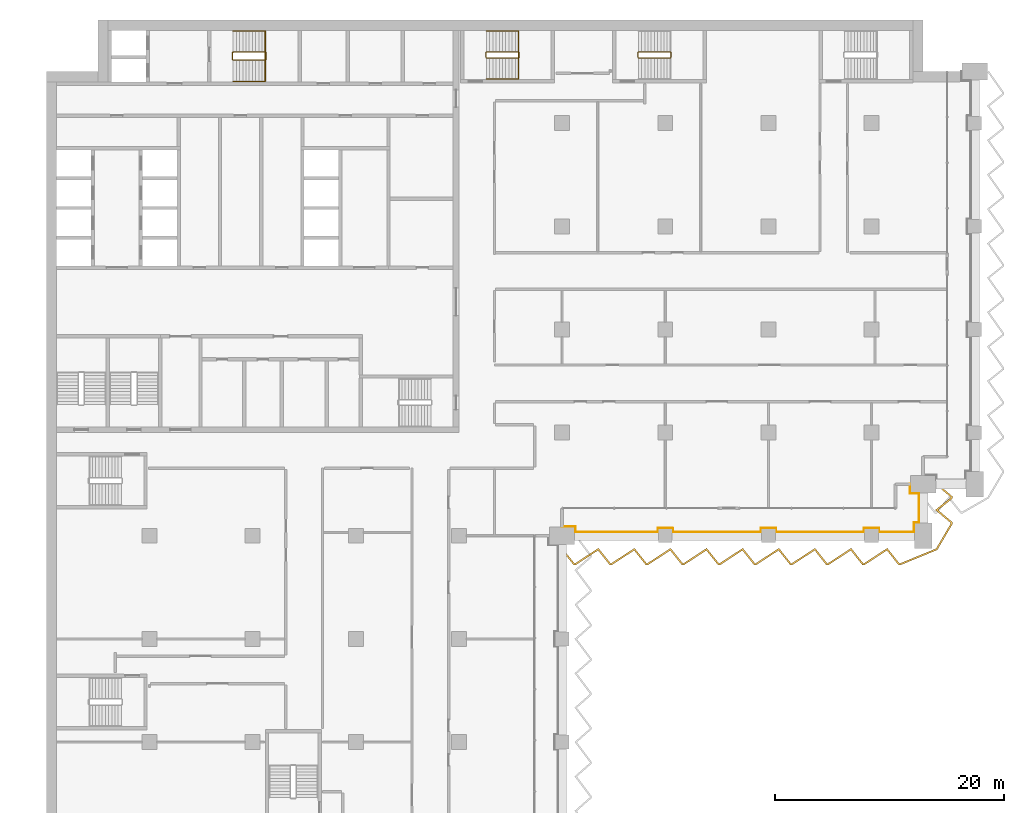
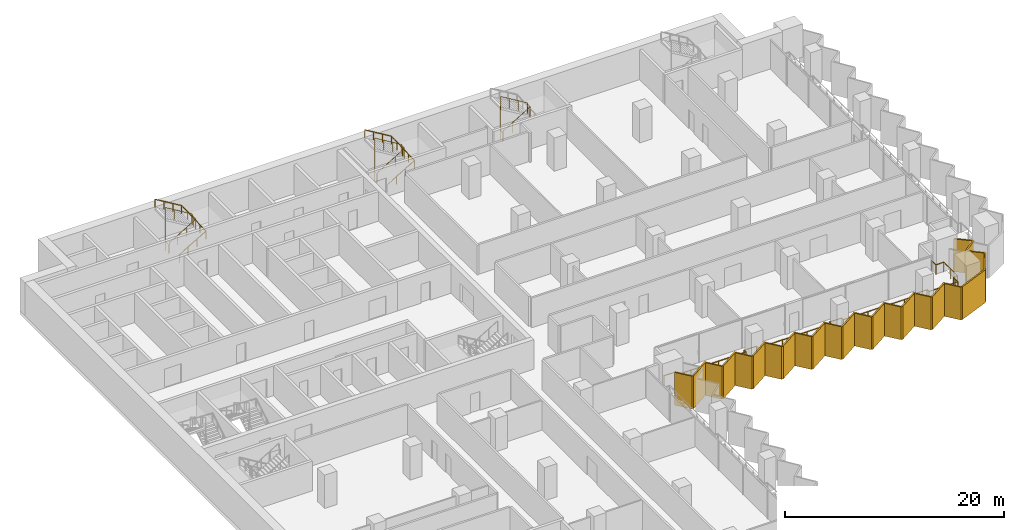
# One storey, part 22 of 23: 6 railings, 1 shading device.
"""IFC4 building model written with IfcOpenShell, lengths in metres."""

from ifc_helpers import new_model, si_unit, direction, frame, origin, origin_2d, place, context, subcontext, project, spatial, polyline, circle, outline, extrude, material, layer, layer_set, type_object, element, save


model = new_model("IFC4")

# Units and contexts
model_context = context("Model", 3, precision=1e-05, world=origin(), true_north=direction((0.0, 1.0)))
body_context = subcontext(model_context, "Body", "Model", "MODEL_VIEW")
ifc_project = project(units=[si_unit("LENGTHUNIT", "METRE"), si_unit("AREAUNIT", "SQUARE_METRE"), si_unit("VOLUMEUNIT", "CUBIC_METRE"), si_unit("PLANEANGLEUNIT", "RADIAN"), si_unit("MASSUNIT", "GRAM", prefix="KILO")], contexts=[model_context])

# Site, building, storey
site_placement = place(None, origin())
site = spatial("IfcSite", under=ifc_project, at=site_placement, CompositionType="ELEMENT")
building_placement = place(site_placement, origin())
building = spatial("IfcBuilding", under=site, at=building_placement, Name="Hunhe Ridgeline Campus", CompositionType="ELEMENT")
storey_placement = place(building_placement, frame((0.0, 0.0, 99.60009765625)))
storey = spatial("IfcBuildingStorey", under=building, at=storey_placement, Name="L24", CompositionType="ELEMENT", Elevation=99.60009765625)

# Railing
ifc_material_1 = material(Name="Steel Q355", Category="steel")
railing_type_1 = type_object("IfcRailingType", Name="Loggia guard 1100 Steel Q355", PredefinedType="GUARDRAIL", material=ifc_material_1)
railing_1_placement = place(storey_placement, frame((45.0, 54.820068359375, 0.0)))
element("IfcRailing", 1, at=railing_1_placement, inside=storey, type_object=railing_type_1, Name="Loggia guard 2", PredefinedType="GUARDRAIL", context=body_context, shape_type="SweptSolid", body=[
    extrude(circle(Radius=0.02392578125, at=origin_2d()), frame((0.0, 0.0, 1.076171875), z_axis=(1.0, 0.0, 0.0), x_axis=(0.0, 1.0, 0.0)), (0.0, 0.0, 1.0), 1.14990234375),
    extrude(circle(Radius=0.02392578125, at=origin_2d()), frame((1.14990234375, 0.0, 1.076171875), z_axis=(0.0, -1.0, 0.0), x_axis=(1.0, 0.0, 0.0)), (0.0, 0.0, 1.0), 0.469970703125),
    extrude(circle(Radius=0.02392578125, at=origin_2d()), frame((1.14990234375, -0.469970703125, 1.076171875), z_axis=(1.0, 0.0, 0.0), x_axis=(0.0, 1.0, 0.0)), (0.0, 0.0, 1.0), 7.2001953125),
    extrude(circle(Radius=0.02392578125, at=origin_2d()), frame((8.35009765625, -0.469970703125, 1.076171875), z_axis=(0.0, 1.0, 0.0), x_axis=(-1.0, 0.0, 0.0)), (0.0, 0.0, 1.0), 0.31982421875),
    extrude(circle(Radius=0.02392578125, at=origin_2d()), frame((8.35009765625, -0.150146484375, 1.076171875), z_axis=(1.0, 0.0, 0.0), x_axis=(0.0, 1.0, 0.0)), (0.0, 0.0, 1.0), 1.2998046875),
    extrude(circle(Radius=0.02392578125, at=origin_2d()), frame((9.64990234375, -0.150146484375, 1.076171875), z_axis=(0.0, -1.0, 0.0), x_axis=(1.0, 0.0, 0.0)), (0.0, 0.0, 1.0), 0.31982421875),
    extrude(circle(Radius=0.02392578125, at=origin_2d()), frame((9.64990234375, -0.469970703125, 1.076171875), z_axis=(1.0, 0.0, 0.0), x_axis=(0.0, 1.0, 0.0)), (0.0, 0.0, 1.0), 7.7001953125),
    extrude(circle(Radius=0.02392578125, at=origin_2d()), frame((17.35009765625, -0.469970703125, 1.076171875), z_axis=(0.0, 1.0, 0.0), x_axis=(-1.0, 0.0, 0.0)), (0.0, 0.0, 1.0), 0.31982421875),
    extrude(circle(Radius=0.02392578125, at=origin_2d()), frame((17.35009765625, -0.150146484375, 1.076171875), z_axis=(1.0, 0.0, 0.0), x_axis=(0.0, 1.0, 0.0)), (0.0, 0.0, 1.0), 1.2998046875),
    extrude(circle(Radius=0.02392578125, at=origin_2d()), frame((18.64990234375, -0.150146484375, 1.076171875), z_axis=(0.0, -1.0, 0.0), x_axis=(1.0, 0.0, 0.0)), (0.0, 0.0, 1.0), 0.31982421875),
    extrude(circle(Radius=0.02392578125, at=origin_2d()), frame((18.64990234375, -0.469970703125, 1.076171875), z_axis=(1.0, 0.0, 0.0), x_axis=(0.0, 1.0, 0.0)), (0.0, 0.0, 1.0), 7.7001953125),
    extrude(circle(Radius=0.02392578125, at=origin_2d()), frame((26.35009765625, -0.469970703125, 1.076171875), z_axis=(0.0, 1.0, 0.0), x_axis=(-1.0, 0.0, 0.0)), (0.0, 0.0, 1.0), 0.31982421875),
    extrude(circle(Radius=0.02392578125, at=origin_2d()), frame((26.35009765625, -0.150146484375, 1.076171875), z_axis=(1.0, 0.0, 0.0), x_axis=(0.0, 1.0, 0.0)), (0.0, 0.0, 1.0), 1.2998046875),
    extrude(circle(Radius=0.02392578125, at=origin_2d()), frame((27.64990234375, -0.150146484375, 1.076171875), z_axis=(0.0, -1.0, 0.0), x_axis=(1.0, 0.0, 0.0)), (0.0, 0.0, 1.0), 0.31982421875),
    extrude(circle(Radius=0.02392578125, at=origin_2d()), frame((27.64990234375, -0.469970703125, 1.076171875), z_axis=(1.0, 0.0, 0.0), x_axis=(0.0, 1.0, 0.0)), (0.0, 0.0, 1.0), 3.050048828125),
    extrude(circle(Radius=0.02392578125, at=origin_2d()), frame((30.699951171875, -0.469970703125, 1.076171875), z_axis=(0.0, 1.0, 0.0), x_axis=(-1.0, 0.0, 0.0)), (0.0, 0.0, 1.0), 0.81982421875),
    extrude(circle(Radius=0.02392578125, at=origin_2d()), frame((30.699951171875, 0.349853515625, 1.076171875), z_axis=(-0.057129153726, -0.99836679622, 0.0), x_axis=(0.99836679622, -0.057129153726, 0.0)), (0.0, 0.0, 1.0), 0.350341796875),
    extrude(circle(Radius=0.02392578125, at=origin_2d()), frame((30.679931640625, 0.0, 1.076171875), z_axis=(0.0, 1.0, 0.0), x_axis=(-1.0, 0.0, 0.0)), (0.0, 0.0, 1.0), 0.329833984375),
    extrude(circle(Radius=0.02392578125, at=origin_2d()), frame((30.679931640625, 0.329833984375, 1.076171875), z_axis=(1.0, 0.0, 0.0), x_axis=(0.0, 1.0, 0.0)), (0.0, 0.0, 1.0), 0.469970703125),
    extrude(circle(Radius=0.02392578125, at=origin_2d()), frame((31.14990234375, 0.329833984375, 1.076171875), z_axis=(0.0, 1.0, 0.0), x_axis=(-1.0, 0.0, 0.0)), (0.0, 0.0, 1.0), 2.550048828125),
    extrude(circle(Radius=0.02392578125, at=origin_2d()), frame((31.14990234375, 2.8798828125, 1.076171875), z_axis=(-1.0, 0.0, 0.0), x_axis=(0.0, -1.0, 0.0)), (0.0, 0.0, 1.0), 0.81982421875),
    extrude(circle(Radius=0.02392578125, at=origin_2d()), frame((30.330078125, 2.8798828125, 1.076171875), z_axis=(0.0, 1.0, 0.0), x_axis=(-1.0, 0.0, 0.0)), (0.0, 0.0, 1.0), 0.800048828125),
    extrude(circle(Radius=0.02099609375, at=origin_2d()), origin(), (0.0, 0.0, 1.0), 1.052001953125),
    extrude(circle(Radius=0.02099609375, at=origin_2d()), frame((1.14990234375, 0.0, 0.0)), (0.0, 0.0, 1.0), 1.052001953125),
    extrude(circle(Radius=0.02099609375, at=origin_2d()), frame((1.14990234375, -0.469970703125, 0.0)), (0.0, 0.0, 1.0), 1.052001953125),
    extrude(circle(Radius=0.02099609375, at=origin_2d()), frame((2.58984375, -0.469970703125, 0.0)), (0.0, 0.0, 1.0), 1.052001953125),
    extrude(circle(Radius=0.02099609375, at=origin_2d()), frame((4.030029296875, -0.469970703125, 0.0)), (0.0, 0.0, 1.0), 1.052001953125),
    extrude(circle(Radius=0.02099609375, at=origin_2d()), frame((5.469970703125, -0.469970703125, 0.0)), (0.0, 0.0, 1.0), 1.052001953125),
    extrude(circle(Radius=0.02099609375, at=origin_2d()), frame((6.91015625, -0.469970703125, 0.0)), (0.0, 0.0, 1.0), 1.052001953125),
    extrude(circle(Radius=0.02099609375, at=origin_2d()), frame((8.35009765625, -0.469970703125, 0.0)), (0.0, 0.0, 1.0), 1.052001953125),
    extrude(circle(Radius=0.02099609375, at=origin_2d()), frame((8.35009765625, -0.150146484375, 0.0)), (0.0, 0.0, 1.0), 1.052001953125),
    extrude(circle(Radius=0.02099609375, at=origin_2d()), frame((9.64990234375, -0.150146484375, 0.0)), (0.0, 0.0, 1.0), 1.052001953125),
    extrude(circle(Radius=0.02099609375, at=origin_2d()), frame((9.64990234375, -0.469970703125, 0.0)), (0.0, 0.0, 1.0), 1.052001953125),
    extrude(circle(Radius=0.02099609375, at=origin_2d()), frame((10.933349609375, -0.469970703125, 0.0)), (0.0, 0.0, 1.0), 1.052001953125),
    extrude(circle(Radius=0.02099609375, at=origin_2d()), frame((12.216552734375, -0.469970703125, 0.0)), (0.0, 0.0, 1.0), 1.052001953125),
    extrude(circle(Radius=0.02099609375, at=origin_2d()), frame((13.5, -0.469970703125, 0.0)), (0.0, 0.0, 1.0), 1.052001953125),
    extrude(circle(Radius=0.02099609375, at=origin_2d()), frame((14.783447265625, -0.469970703125, 0.0)), (0.0, 0.0, 1.0), 1.052001953125),
    extrude(circle(Radius=0.02099609375, at=origin_2d()), frame((16.066650390625, -0.469970703125, 0.0)), (0.0, 0.0, 1.0), 1.052001953125),
    extrude(circle(Radius=0.02099609375, at=origin_2d()), frame((17.35009765625, -0.469970703125, 0.0)), (0.0, 0.0, 1.0), 1.052001953125),
    extrude(circle(Radius=0.02099609375, at=origin_2d()), frame((17.35009765625, -0.150146484375, 0.0)), (0.0, 0.0, 1.0), 1.052001953125),
    extrude(circle(Radius=0.02099609375, at=origin_2d()), frame((18.64990234375, -0.150146484375, 0.0)), (0.0, 0.0, 1.0), 1.052001953125),
    extrude(circle(Radius=0.02099609375, at=origin_2d()), frame((18.64990234375, -0.469970703125, 0.0)), (0.0, 0.0, 1.0), 1.052001953125),
    extrude(circle(Radius=0.02099609375, at=origin_2d()), frame((19.933349609375, -0.469970703125, 0.0)), (0.0, 0.0, 1.0), 1.052001953125),
    extrude(circle(Radius=0.02099609375, at=origin_2d()), frame((21.216552734375, -0.469970703125, 0.0)), (0.0, 0.0, 1.0), 1.052001953125),
    extrude(circle(Radius=0.02099609375, at=origin_2d()), frame((22.5, -0.469970703125, 0.0)), (0.0, 0.0, 1.0), 1.052001953125),
    extrude(circle(Radius=0.02099609375, at=origin_2d()), frame((23.783447265625, -0.469970703125, 0.0)), (0.0, 0.0, 1.0), 1.052001953125),
    extrude(circle(Radius=0.02099609375, at=origin_2d()), frame((25.066650390625, -0.469970703125, 0.0)), (0.0, 0.0, 1.0), 1.052001953125),
    extrude(circle(Radius=0.02099609375, at=origin_2d()), frame((26.35009765625, -0.469970703125, 0.0)), (0.0, 0.0, 1.0), 1.052001953125),
    extrude(circle(Radius=0.02099609375, at=origin_2d()), frame((26.35009765625, -0.150146484375, 0.0)), (0.0, 0.0, 1.0), 1.052001953125),
    extrude(circle(Radius=0.02099609375, at=origin_2d()), frame((27.64990234375, -0.150146484375, 0.0)), (0.0, 0.0, 1.0), 1.052001953125),
    extrude(circle(Radius=0.02099609375, at=origin_2d()), frame((27.64990234375, -0.469970703125, 0.0)), (0.0, 0.0, 1.0), 1.052001953125),
    extrude(circle(Radius=0.02099609375, at=origin_2d()), frame((28.66650390625, -0.469970703125, 0.0)), (0.0, 0.0, 1.0), 1.052001953125),
    extrude(circle(Radius=0.02099609375, at=origin_2d()), frame((29.683349609375, -0.469970703125, 0.0)), (0.0, 0.0, 1.0), 1.052001953125),
    extrude(circle(Radius=0.02099609375, at=origin_2d()), frame((30.699951171875, -0.469970703125, 0.0)), (0.0, 0.0, 1.0), 1.052001953125),
    extrude(circle(Radius=0.02099609375, at=origin_2d()), frame((30.699951171875, 0.349853515625, 0.0)), (0.0, 0.0, 1.0), 1.052001953125),
    extrude(circle(Radius=0.02099609375, at=origin_2d()), frame((30.679931640625, 0.0, 0.0)), (0.0, 0.0, 1.0), 1.052001953125),
    extrude(circle(Radius=0.02099609375, at=origin_2d()), frame((30.679931640625, 0.329833984375, 0.0)), (0.0, 0.0, 1.0), 1.052001953125),
    extrude(circle(Radius=0.02099609375, at=origin_2d()), frame((31.14990234375, 0.329833984375, 0.0)), (0.0, 0.0, 1.0), 1.052001953125),
    extrude(circle(Radius=0.02099609375, at=origin_2d()), frame((31.14990234375, 1.60498046875, 0.0)), (0.0, 0.0, 1.0), 1.052001953125),
    extrude(circle(Radius=0.02099609375, at=origin_2d()), frame((31.14990234375, 2.8798828125, 0.0)), (0.0, 0.0, 1.0), 1.052001953125),
    extrude(circle(Radius=0.02099609375, at=origin_2d()), frame((30.330078125, 2.8798828125, 0.0)), (0.0, 0.0, 1.0), 1.052001953125),
    extrude(circle(Radius=0.02099609375, at=origin_2d()), frame((30.330078125, 3.679931640625, 0.0)), (0.0, 0.0, 1.0), 1.052001953125),
])

# Shading device
ifc_material_2 = material(Name="Concrete C50", Category="concrete")
ifc_layer = layer(ifc_material_2, 0.14990234375)
ifc_layer_set = layer_set([ifc_layer], Name="Sawtooth concrete fin 150 Concrete C50")
shading_device_type = type_object("IfcShadingDeviceType", Name="Sawtooth concrete fin 150 Concrete C50", PredefinedType="USERDEFINED", material=ifc_layer_set)
shading_device_placement = place(storey_placement, frame((0.0, 0.0, -0.9501953125)))
element("IfcShadingDevice", 2, at=shading_device_placement, inside=storey, type_object=shading_device_type, Name="Concrete fin screen 2", ObjectType="FIN", PredefinedType="USERDEFINED", context=body_context, shape_type="SweptSolid", body=[
    extrude(outline(polyline([(45.05859375, 52.871826171875), (44.94140625, 52.7783203125), (46.000732421875, 51.449951171875), (46.17919921875, 51.449951171875), (48.1337890625, 52.724853515625), (49.150634765625, 51.449951171875), (49.3291015625, 51.449951171875), (51.283935546875, 52.724853515625), (52.30078125, 51.449951171875), (52.479248046875, 51.449951171875), (54.433837890625, 52.724853515625), (55.45068359375, 51.449951171875), (55.629150390625, 51.449951171875), (57.583984375, 52.724853515625), (58.600830078125, 51.449951171875), (58.779052734375, 51.449951171875), (60.73388671875, 52.724853515625), (61.750732421875, 51.449951171875), (61.92919921875, 51.449951171875), (63.8837890625, 52.724853515625), (64.900634765625, 51.449951171875), (65.0791015625, 51.449951171875), (67.033935546875, 52.724853515625), (68.05078125, 51.449951171875), (68.229248046875, 51.449951171875), (70.183837890625, 52.724853515625), (71.20068359375, 51.449951171875), (71.379150390625, 51.449951171875), (73.333984375, 52.724853515625), (74.350830078125, 51.449951171875), (74.521728515625, 51.449951171875), (77.726806640625, 52.76513671875), (79.050048828125, 55.016357421875), (79.050048828125, 55.19189453125), (77.79345703125, 56.24853515625), (79.050048828125, 57.250732421875), (79.050048828125, 57.44189453125), (77.723388671875, 58.557373046875), (77.626708984375, 58.442626953125), (78.89990234375, 57.371826171875), (78.89990234375, 57.322998046875), (77.556640625, 56.25146484375), (78.89990234375, 55.121826171875), (78.89990234375, 55.057373046875), (77.623046875, 52.884765625), (74.491943359375, 51.60009765625), (74.4228515625, 51.60009765625), (73.3662109375, 52.925048828125), (71.33447265625, 51.60009765625), (71.27294921875, 51.60009765625), (70.216064453125, 52.925048828125), (68.1845703125, 51.60009765625), (68.123046875, 51.60009765625), (67.066162109375, 52.925048828125), (65.03466796875, 51.60009765625), (64.972900390625, 51.60009765625), (63.916015625, 52.925048828125), (61.884521484375, 51.60009765625), (61.822998046875, 51.60009765625), (60.76611328125, 52.925048828125), (58.734619140625, 51.60009765625), (58.6728515625, 51.60009765625), (57.6162109375, 52.925048828125), (55.58447265625, 51.60009765625), (55.52294921875, 51.60009765625), (54.466064453125, 52.925048828125), (52.4345703125, 51.60009765625), (52.373046875, 51.60009765625), (51.316162109375, 52.925048828125), (49.28466796875, 51.60009765625), (49.222900390625, 51.60009765625), (48.166015625, 52.925048828125), (46.134521484375, 51.60009765625), (46.072998046875, 51.60009765625), (45.05859375, 52.871826171875)])), origin(), (0.0, 0.0, 1.0), 3.650146484375),
])

# Railings
ifc_material_3 = material(Name="Stainless steel balustrade", Category="steel")
railing_type_2 = type_object("IfcRailingType", Name="Stair guard 1100 stainless", PredefinedType="GUARDRAIL", material=ifc_material_3)
railing_2_placement = place(storey_placement, frame((16.300048828125, 95.5, 0.16796875)))
element("IfcRailing", 3, at=railing_2_placement, inside=storey, type_object=railing_type_2, Name="L24 stair S1 guard", PredefinedType="GUARDRAIL", context=body_context, shape_type="SweptSolid", body=[
    extrude(circle(Radius=0.02392578125, at=origin_2d()), frame((0.0, 0.0, 1.076171875), z_axis=(0.857242210791, 0.0, 0.514913383045), x_axis=(0.0, 1.0, 0.0)), (0.0, 0.0, 1.0), 3.266357421875),
    extrude(circle(Radius=0.02392578125, at=origin_2d()), frame((2.800048828125, 0.0, 2.7578125), z_axis=(0.705375805398, 0.708833529934, 0.0), x_axis=(-0.708833529934, 0.705375805398, 0.0)), (0.0, 0.0, 1.0), 0.070556640625),
    extrude(circle(Radius=0.02392578125, at=origin_2d()), frame((2.849853515625, 0.050048828125, 2.7578125), z_axis=(0.0, 1.0, 0.0), x_axis=(-1.0, 0.0, 0.0)), (0.0, 0.0, 1.0), 0.599853515625),
    extrude(circle(Radius=0.02392578125, at=origin_2d()), frame((2.849853515625, 0.64990234375, 2.7578125), z_axis=(-0.273006030465, 0.27434429532, 0.922064485248), x_axis=(-0.708833529934, -0.705375805398, 0.0)), (0.0, 0.0, 1.0), 0.182373046875),
    extrude(circle(Radius=0.02392578125, at=origin_2d()), frame((2.800048828125, 0.699951171875, 2.92626953125), z_axis=(-0.857242210791, 0.0, 0.514913383045), x_axis=(0.0, -1.0, 0.0)), (0.0, 0.0, 1.0), 3.266357421875),
    extrude(circle(Radius=0.02392578125, at=origin_2d()), frame((0.0, 0.699951171875, 4.60791015625), z_axis=(-0.013524414389, -0.013524414389, -0.999817073484), x_axis=(0.707106781187, -0.707106781187, 0.0)), (0.0, 0.0, 1.0), 3.70068359375),
    extrude(circle(Radius=0.02392578125, at=origin_2d()), frame((-0.050048828125, 0.64990234375, 0.908203125), z_axis=(0.0, -1.0, 0.0), x_axis=(1.0, 0.0, 0.0)), (0.0, 0.0, 1.0), 0.599853515625),
    extrude(circle(Radius=0.02099609375, at=origin_2d()), origin(), (0.0, 0.0, 1.0), 1.052001953125),
    extrude(circle(Radius=0.02099609375, at=origin_2d()), frame((0.933349609375, 0.0, 0.560546875)), (0.0, 0.0, 1.0), 1.052001953125),
    extrude(circle(Radius=0.02099609375, at=origin_2d()), frame((1.86669921875, 0.0, 1.121337890625)), (0.0, 0.0, 1.0), 1.052001953125),
    extrude(circle(Radius=0.02099609375, at=origin_2d()), frame((2.800048828125, 0.0, 1.681884765625)), (0.0, 0.0, 1.0), 1.052001953125),
    extrude(circle(Radius=0.02099609375, at=origin_2d()), frame((2.849853515625, 0.050048828125, 1.681884765625)), (0.0, 0.0, 1.0), 1.052001953125),
    extrude(circle(Radius=0.02099609375, at=origin_2d()), frame((2.849853515625, 0.64990234375, 1.681884765625)), (0.0, 0.0, 1.0), 1.052001953125),
    extrude(circle(Radius=0.02099609375, at=origin_2d()), frame((2.800048828125, 0.699951171875, 1.85009765625)), (0.0, 0.0, 1.0), 1.052001953125),
    extrude(circle(Radius=0.02099609375, at=origin_2d()), frame((1.86669921875, 0.699951171875, 2.41064453125)), (0.0, 0.0, 1.0), 1.052001953125),
    extrude(circle(Radius=0.02099609375, at=origin_2d()), frame((0.933349609375, 0.699951171875, 2.971435546875)), (0.0, 0.0, 1.0), 1.052001953125),
    extrude(circle(Radius=0.02099609375, at=origin_2d()), frame((0.0, 0.699951171875, 3.531982421875)), (0.0, 0.0, 1.0), 1.052001953125),
    extrude(circle(Radius=0.02099609375, at=origin_2d()), frame((-0.012451171875, 0.6875, 2.60693359375)), (0.0, 0.0, 1.0), 1.052001953125),
    extrude(circle(Radius=0.02099609375, at=origin_2d()), frame((-0.02490234375, 0.6748046875, 1.68212890625)), (0.0, 0.0, 1.0), 1.052001953125),
    extrude(circle(Radius=0.02099609375, at=origin_2d()), frame((-0.03759765625, 0.662353515625, 0.757080078125)), (0.0, 0.0, 1.0), 1.052001953125),
    extrude(circle(Radius=0.02099609375, at=origin_2d()), frame((-0.050048828125, 0.64990234375, -0.16796875)), (0.0, 0.0, 1.0), 1.052001953125),
    extrude(circle(Radius=0.02099609375, at=origin_2d()), frame((-0.050048828125, 0.050048828125, -0.16796875)), (0.0, 0.0, 1.0), 1.052001953125),
])
railing_3_placement = place(storey_placement, frame((38.39990234375, 95.699951171875, 0.16796875)))
element("IfcRailing", 4, at=railing_3_placement, inside=storey, type_object=railing_type_2, Name="L24 stair E1 guard", PredefinedType="GUARDRAIL", context=body_context, shape_type="SweptSolid", body=[
    extrude(circle(Radius=0.02392578125, at=origin_2d()), frame((0.0, 0.0, 1.076171875), z_axis=(0.857242210791, 0.0, 0.514913383045), x_axis=(0.0, 1.0, 0.0)), (0.0, 0.0, 1.0), 3.266357421875),
    extrude(circle(Radius=0.02392578125, at=origin_2d()), frame((2.800048828125, 0.0, 2.7578125), z_axis=(0.707106781187, 0.707106781187, 0.0), x_axis=(-0.707106781187, 0.707106781187, 0.0)), (0.0, 0.0, 1.0), 0.07080078125),
    extrude(circle(Radius=0.02392578125, at=origin_2d()), frame((2.85009765625, 0.050048828125, 2.7578125), z_axis=(0.0, 1.0, 0.0), x_axis=(-1.0, 0.0, 0.0)), (0.0, 0.0, 1.0), 0.39990234375),
    extrude(circle(Radius=0.02392578125, at=origin_2d()), frame((2.85009765625, 0.449951171875, 2.7578125), z_axis=(-0.274243871929, 0.274243871929, 0.92172696468), x_axis=(-0.707106781187, -0.707106781187, 0.0)), (0.0, 0.0, 1.0), 0.1826171875),
    extrude(circle(Radius=0.02392578125, at=origin_2d()), frame((2.800048828125, 0.5, 2.92626953125), z_axis=(-0.857242210791, 0.0, 0.514913383045), x_axis=(0.0, -1.0, 0.0)), (0.0, 0.0, 1.0), 3.266357421875),
    extrude(circle(Radius=0.02392578125, at=origin_2d()), frame((0.0, 0.5, 4.60791015625), z_axis=(-0.013458453615, -0.013524426427, -0.999817963389), x_axis=(0.708833529934, -0.705375805398, 0.0)), (0.0, 0.0, 1.0), 3.70068359375),
    extrude(circle(Radius=0.02392578125, at=origin_2d()), frame((-0.0498046875, 0.449951171875, 0.908203125), z_axis=(0.0, -1.0, 0.0), x_axis=(1.0, 0.0, 0.0)), (0.0, 0.0, 1.0), 0.39990234375),
    extrude(circle(Radius=0.02099609375, at=origin_2d()), origin(), (0.0, 0.0, 1.0), 1.052001953125),
    extrude(circle(Radius=0.02099609375, at=origin_2d()), frame((0.933349609375, 0.0, 0.560546875)), (0.0, 0.0, 1.0), 1.052001953125),
    extrude(circle(Radius=0.02099609375, at=origin_2d()), frame((1.86669921875, 0.0, 1.121337890625)), (0.0, 0.0, 1.0), 1.052001953125),
    extrude(circle(Radius=0.02099609375, at=origin_2d()), frame((2.800048828125, 0.0, 1.681884765625)), (0.0, 0.0, 1.0), 1.052001953125),
    extrude(circle(Radius=0.02099609375, at=origin_2d()), frame((2.85009765625, 0.050048828125, 1.681884765625)), (0.0, 0.0, 1.0), 1.052001953125),
    extrude(circle(Radius=0.02099609375, at=origin_2d()), frame((2.85009765625, 0.449951171875, 1.681884765625)), (0.0, 0.0, 1.0), 1.052001953125),
    extrude(circle(Radius=0.02099609375, at=origin_2d()), frame((2.800048828125, 0.5, 1.85009765625)), (0.0, 0.0, 1.0), 1.052001953125),
    extrude(circle(Radius=0.02099609375, at=origin_2d()), frame((1.86669921875, 0.5, 2.41064453125)), (0.0, 0.0, 1.0), 1.052001953125),
    extrude(circle(Radius=0.02099609375, at=origin_2d()), frame((0.933349609375, 0.5, 2.971435546875)), (0.0, 0.0, 1.0), 1.052001953125),
    extrude(circle(Radius=0.02099609375, at=origin_2d()), frame((0.0, 0.5, 3.531982421875)), (0.0, 0.0, 1.0), 1.052001953125),
    extrude(circle(Radius=0.02099609375, at=origin_2d()), frame((-0.012451171875, 0.487548828125, 2.60693359375)), (0.0, 0.0, 1.0), 1.052001953125),
    extrude(circle(Radius=0.02099609375, at=origin_2d()), frame((-0.02490234375, 0.47509765625, 1.68212890625)), (0.0, 0.0, 1.0), 1.052001953125),
    extrude(circle(Radius=0.02099609375, at=origin_2d()), frame((-0.037353515625, 0.46240234375, 0.757080078125)), (0.0, 0.0, 1.0), 1.052001953125),
    extrude(circle(Radius=0.02099609375, at=origin_2d()), frame((-0.0498046875, 0.449951171875, -0.16796875)), (0.0, 0.0, 1.0), 1.052001953125),
    extrude(circle(Radius=0.02099609375, at=origin_2d()), frame((-0.0498046875, 0.050048828125, -0.16796875)), (0.0, 0.0, 1.0), 1.052001953125),
])
railing_4_placement = place(storey_placement, frame((51.64990234375, 95.699951171875, 0.16796875)))
element("IfcRailing", 5, at=railing_4_placement, inside=storey, type_object=railing_type_2, Name="L24 stair E2 guard", PredefinedType="GUARDRAIL", context=body_context, shape_type="SweptSolid", body=[
    extrude(circle(Radius=0.02392578125, at=origin_2d()), frame((0.0, 0.0, 1.076171875), z_axis=(0.857242210791, 0.0, 0.514913383045), x_axis=(0.0, 1.0, 0.0)), (0.0, 0.0, 1.0), 3.266357421875),
    extrude(circle(Radius=0.02392578125, at=origin_2d()), frame((2.800048828125, 0.0, 2.7578125), z_axis=(0.707106781187, 0.707106781187, 0.0), x_axis=(-0.707106781187, 0.707106781187, 0.0)), (0.0, 0.0, 1.0), 0.07080078125),
    extrude(circle(Radius=0.02392578125, at=origin_2d()), frame((2.85009765625, 0.050048828125, 2.7578125), z_axis=(0.0, 1.0, 0.0), x_axis=(-1.0, 0.0, 0.0)), (0.0, 0.0, 1.0), 0.39990234375),
    extrude(circle(Radius=0.02392578125, at=origin_2d()), frame((2.85009765625, 0.449951171875, 2.7578125), z_axis=(-0.274243871929, 0.274243871929, 0.92172696468), x_axis=(-0.707106781187, -0.707106781187, 0.0)), (0.0, 0.0, 1.0), 0.1826171875),
    extrude(circle(Radius=0.02392578125, at=origin_2d()), frame((2.800048828125, 0.5, 2.92626953125), z_axis=(-0.857242210791, 0.0, 0.514913383045), x_axis=(0.0, -1.0, 0.0)), (0.0, 0.0, 1.0), 3.266357421875),
    extrude(circle(Radius=0.02392578125, at=origin_2d()), frame((0.0, 0.5, 4.60791015625), z_axis=(-0.013458453615, -0.013524426427, -0.999817963389), x_axis=(0.708833529934, -0.705375805398, 0.0)), (0.0, 0.0, 1.0), 3.70068359375),
    extrude(circle(Radius=0.02392578125, at=origin_2d()), frame((-0.0498046875, 0.449951171875, 0.908203125), z_axis=(0.0, -1.0, 0.0), x_axis=(1.0, 0.0, 0.0)), (0.0, 0.0, 1.0), 0.39990234375),
    extrude(circle(Radius=0.02099609375, at=origin_2d()), origin(), (0.0, 0.0, 1.0), 1.052001953125),
    extrude(circle(Radius=0.02099609375, at=origin_2d()), frame((0.933349609375, 0.0, 0.560546875)), (0.0, 0.0, 1.0), 1.052001953125),
    extrude(circle(Radius=0.02099609375, at=origin_2d()), frame((1.86669921875, 0.0, 1.121337890625)), (0.0, 0.0, 1.0), 1.052001953125),
    extrude(circle(Radius=0.02099609375, at=origin_2d()), frame((2.800048828125, 0.0, 1.681884765625)), (0.0, 0.0, 1.0), 1.052001953125),
    extrude(circle(Radius=0.02099609375, at=origin_2d()), frame((2.85009765625, 0.050048828125, 1.681884765625)), (0.0, 0.0, 1.0), 1.052001953125),
    extrude(circle(Radius=0.02099609375, at=origin_2d()), frame((2.85009765625, 0.449951171875, 1.681884765625)), (0.0, 0.0, 1.0), 1.052001953125),
    extrude(circle(Radius=0.02099609375, at=origin_2d()), frame((2.800048828125, 0.5, 1.85009765625)), (0.0, 0.0, 1.0), 1.052001953125),
    extrude(circle(Radius=0.02099609375, at=origin_2d()), frame((1.86669921875, 0.5, 2.41064453125)), (0.0, 0.0, 1.0), 1.052001953125),
    extrude(circle(Radius=0.02099609375, at=origin_2d()), frame((0.933349609375, 0.5, 2.971435546875)), (0.0, 0.0, 1.0), 1.052001953125),
    extrude(circle(Radius=0.02099609375, at=origin_2d()), frame((0.0, 0.5, 3.531982421875)), (0.0, 0.0, 1.0), 1.052001953125),
    extrude(circle(Radius=0.02099609375, at=origin_2d()), frame((-0.012451171875, 0.487548828125, 2.60693359375)), (0.0, 0.0, 1.0), 1.052001953125),
    extrude(circle(Radius=0.02099609375, at=origin_2d()), frame((-0.02490234375, 0.47509765625, 1.68212890625)), (0.0, 0.0, 1.0), 1.052001953125),
    extrude(circle(Radius=0.02099609375, at=origin_2d()), frame((-0.037353515625, 0.46240234375, 0.757080078125)), (0.0, 0.0, 1.0), 1.052001953125),
    extrude(circle(Radius=0.02099609375, at=origin_2d()), frame((-0.0498046875, 0.449951171875, -0.16796875)), (0.0, 0.0, 1.0), 1.052001953125),
    extrude(circle(Radius=0.02099609375, at=origin_2d()), frame((-0.0498046875, 0.050048828125, -0.16796875)), (0.0, 0.0, 1.0), 1.052001953125),
])
ifc_material_4 = material(Name="Stainless steel handrail", Category="steel")
railing_type_3 = type_object("IfcRailingType", Name="Stair handrail 900 stainless", PredefinedType="HANDRAIL", material=ifc_material_4)
railing_5_placement = place(storey_placement, frame((16.300048828125, 93.64990234375, 0.16796875)))
element("IfcRailing", 6, at=railing_5_placement, inside=storey, type_object=railing_type_3, Name="L24 stair S1 handrail", PredefinedType="HANDRAIL", context=body_context, shape_type="SweptSolid", body=[
    extrude(circle(Radius=0.02392578125, at=origin_2d()), frame((0.0, 0.0, 0.8759765625), z_axis=(0.857242210791, 0.0, 0.514913383045), x_axis=(0.0, 1.0, 0.0)), (0.0, 0.0, 1.0), 3.266357421875),
    extrude(circle(Radius=0.02392578125, at=origin_2d()), frame((2.800048828125, 0.0, 2.5576171875), z_axis=(0.0, 0.999270074432, 0.038201025428), x_axis=(-1.0, 0.0, 0.0)), (0.0, 0.0, 1.0), 4.4033203125),
    extrude(circle(Radius=0.02392578125, at=origin_2d()), frame((2.800048828125, 4.400146484375, 2.72607421875), z_axis=(-0.857242210791, 0.0, 0.514913383045), x_axis=(0.0, -1.0, 0.0)), (0.0, 0.0, 1.0), 3.266357421875),
    extrude(circle(Radius=0.02099609375, at=origin_2d()), origin(), (0.0, 0.0, 1.0), 0.851806640625),
    extrude(circle(Radius=0.02099609375, at=origin_2d()), frame((0.933349609375, 0.0, 0.560546875)), (0.0, 0.0, 1.0), 0.851806640625),
    extrude(circle(Radius=0.02099609375, at=origin_2d()), frame((1.86669921875, 0.0, 1.121337890625)), (0.0, 0.0, 1.0), 0.851806640625),
    extrude(circle(Radius=0.02099609375, at=origin_2d()), frame((2.800048828125, 0.0, 1.681884765625)), (0.0, 0.0, 1.0), 0.851806640625),
    extrude(circle(Radius=0.02099609375, at=origin_2d()), frame((2.800048828125, 1.10009765625, 1.723876953125)), (0.0, 0.0, 1.0), 0.851806640625),
    extrude(circle(Radius=0.02099609375, at=origin_2d()), frame((2.800048828125, 2.2001953125, 1.76611328125)), (0.0, 0.0, 1.0), 0.851806640625),
    extrude(circle(Radius=0.02099609375, at=origin_2d()), frame((2.800048828125, 3.300048828125, 1.80810546875)), (0.0, 0.0, 1.0), 0.851806640625),
    extrude(circle(Radius=0.02099609375, at=origin_2d()), frame((2.800048828125, 4.400146484375, 1.85009765625)), (0.0, 0.0, 1.0), 0.851806640625),
    extrude(circle(Radius=0.02099609375, at=origin_2d()), frame((1.86669921875, 4.400146484375, 2.41064453125)), (0.0, 0.0, 1.0), 0.851806640625),
    extrude(circle(Radius=0.02099609375, at=origin_2d()), frame((0.933349609375, 4.400146484375, 2.971435546875)), (0.0, 0.0, 1.0), 0.851806640625),
    extrude(circle(Radius=0.02099609375, at=origin_2d()), frame((0.0, 4.400146484375, 3.531982421875)), (0.0, 0.0, 1.0), 0.851806640625),
])
railing_6_placement = place(storey_placement, frame((38.39990234375, 93.85009765625, 0.16796875)))
element("IfcRailing", 7, at=railing_6_placement, inside=storey, type_object=railing_type_3, Name="L24 stair E1 handrail", PredefinedType="HANDRAIL", context=body_context, shape_type="SweptSolid", body=[
    extrude(circle(Radius=0.02392578125, at=origin_2d()), frame((0.0, 0.0, 0.8759765625), z_axis=(0.857242210791, 0.0, 0.514913383045), x_axis=(0.0, 1.0, 0.0)), (0.0, 0.0, 1.0), 3.266357421875),
    extrude(circle(Radius=0.02392578125, at=origin_2d()), frame((2.800048828125, 0.0, 2.5576171875), z_axis=(0.0, 0.999198916169, 0.040019069537), x_axis=(-1.0, 0.0, 0.0)), (0.0, 0.0, 1.0), 4.203369140625),
    extrude(circle(Radius=0.02392578125, at=origin_2d()), frame((2.800048828125, 4.199951171875, 2.72607421875), z_axis=(-0.857242210791, 0.0, 0.514913383045), x_axis=(0.0, -1.0, 0.0)), (0.0, 0.0, 1.0), 3.266357421875),
    extrude(circle(Radius=0.02099609375, at=origin_2d()), origin(), (0.0, 0.0, 1.0), 0.851806640625),
    extrude(circle(Radius=0.02099609375, at=origin_2d()), frame((0.933349609375, 0.0, 0.560546875)), (0.0, 0.0, 1.0), 0.851806640625),
    extrude(circle(Radius=0.02099609375, at=origin_2d()), frame((1.86669921875, 0.0, 1.121337890625)), (0.0, 0.0, 1.0), 0.851806640625),
    extrude(circle(Radius=0.02099609375, at=origin_2d()), frame((2.800048828125, 0.0, 1.681884765625)), (0.0, 0.0, 1.0), 0.851806640625),
    extrude(circle(Radius=0.02099609375, at=origin_2d()), frame((2.800048828125, 1.050048828125, 1.723876953125)), (0.0, 0.0, 1.0), 0.851806640625),
    extrude(circle(Radius=0.02099609375, at=origin_2d()), frame((2.800048828125, 2.10009765625, 1.76611328125)), (0.0, 0.0, 1.0), 0.851806640625),
    extrude(circle(Radius=0.02099609375, at=origin_2d()), frame((2.800048828125, 3.14990234375, 1.80810546875)), (0.0, 0.0, 1.0), 0.851806640625),
    extrude(circle(Radius=0.02099609375, at=origin_2d()), frame((2.800048828125, 4.199951171875, 1.85009765625)), (0.0, 0.0, 1.0), 0.851806640625),
    extrude(circle(Radius=0.02099609375, at=origin_2d()), frame((1.86669921875, 4.199951171875, 2.41064453125)), (0.0, 0.0, 1.0), 0.851806640625),
    extrude(circle(Radius=0.02099609375, at=origin_2d()), frame((0.933349609375, 4.199951171875, 2.971435546875)), (0.0, 0.0, 1.0), 0.851806640625),
    extrude(circle(Radius=0.02099609375, at=origin_2d()), frame((0.0, 4.199951171875, 3.531982421875)), (0.0, 0.0, 1.0), 0.851806640625),
])

save(model, "model.ifc")
